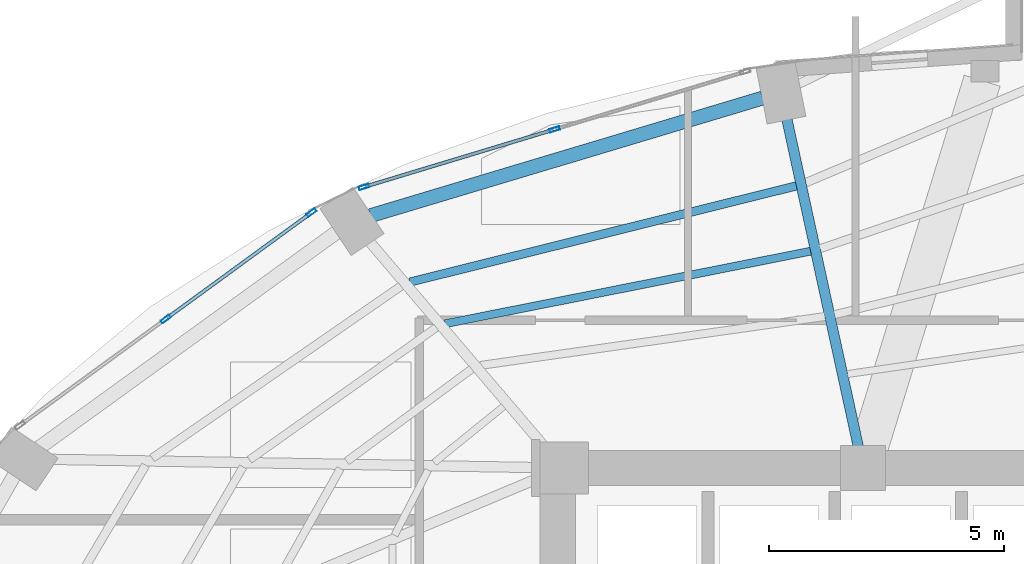
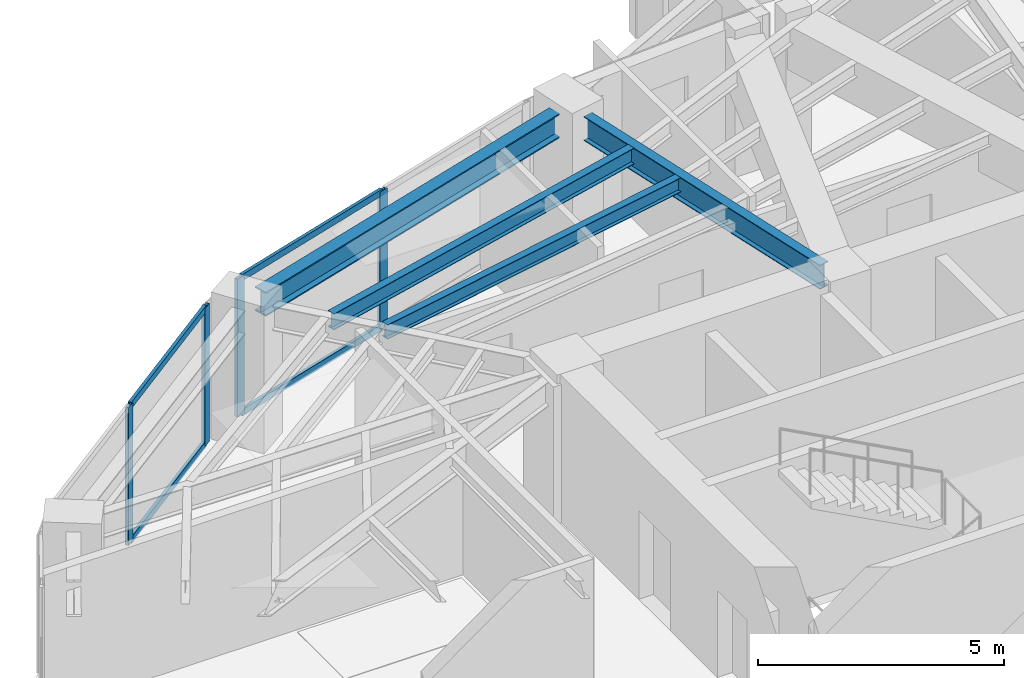
# One storey, part 14 of 23: 8 members, 4 beams, 2 elements without a shape of their own.
"""IFC4 building model written with IfcOpenShell, lengths in metres."""

from ifc_helpers import new_model, si_unit, direction, frame, origin, origin_2d, place, context, subcontext, project, spatial, hollow_rectangle, i_section, extrude, material, layer, layer_set, material_profile, profile_set, type_object, element, aggregate, save


model = new_model("IFC4")

# Units and contexts
model_context = context("Model", 3, precision=1e-05, world=origin(), true_north=direction((0.0, 1.0)))
body_context = subcontext(model_context, "Body", "Model", "MODEL_VIEW")
ifc_project = project(units=[si_unit("LENGTHUNIT", "METRE"), si_unit("AREAUNIT", "SQUARE_METRE"), si_unit("VOLUMEUNIT", "CUBIC_METRE"), si_unit("PLANEANGLEUNIT", "RADIAN"), si_unit("MASSUNIT", "GRAM", prefix="KILO")], contexts=[model_context])

# Site, building, storey
site_placement = place(None, origin())
site = spatial("IfcSite", under=ifc_project, at=site_placement, CompositionType="ELEMENT")
building_placement = place(site_placement, origin())
building = spatial("IfcBuilding", under=site, at=building_placement, Name="Lazwardi Medical Tower", CompositionType="ELEMENT")
storey_placement = place(building_placement, frame((0.0, 0.0, 85.39208984375)))
storey = spatial("IfcBuildingStorey", under=building, at=storey_placement, Name="L21", CompositionType="ELEMENT", Elevation=85.39208984375)

# Beams
ifc_material_1 = material(Name="Steel S355", Category="steel")
ifc_material_profile_1 = material_profile(ifc_material_1, i_section(OverallWidth=0.300048828125, OverallDepth=0.60009765625, WebThickness=0.015380859375, FlangeThickness=0.030029296875, at=origin_2d()), Name="HEB 600")
ifc_profile_set_1 = profile_set([ifc_material_profile_1], Name="Steel S355")
beam_type_1 = type_object("IfcBeamType", Name="BM-RB-Z2", PredefinedType="BEAM", material=ifc_profile_set_1)
beam_1_placement = place(storey_placement, frame((30.661865234375, 43.4794921875, 3.1279296875), z_axis=(-0.957879438442, -0.287170648587, 0.0), x_axis=(0.287170648587, -0.957879438442, 0.0)))
element("IfcBeam", 1, at=beam_1_placement, inside=storey, type_object=beam_type_1, Name="Ring beam RB-03 B09 L21", PredefinedType="BEAM", context=body_context, shape_type="SweptSolid", body=[
    extrude(i_section(OverallWidth=0.300048828125, OverallDepth=0.60009765625, WebThickness=0.015380859375, FlangeThickness=0.030029296875, at=origin_2d()), origin(), (0.0, 0.0, 1.0), 8.719970703125),
])
ifc_material_profile_2 = material_profile(ifc_material_1, i_section(OverallWidth=0.219970703125, OverallDepth=0.60009765625, WebThickness=0.011962890625, FlangeThickness=0.01904296875, at=origin_2d()), Name="IPE 600")
ifc_profile_set_2 = profile_set([ifc_material_profile_2], Name="Steel S355")
beam_type_2 = type_object("IfcBeamType", Name="BM-RG-W1", PredefinedType="BEAM", material=ifc_profile_set_2)
beam_2_placement = place(storey_placement, frame((31.17822265625, 43.03076171875, 3.1279296875), z_axis=(0.213228150441, -0.977002433907, 0.0), x_axis=(0.977002433907, 0.213228150441, 0.0)))
element("IfcBeam", 2, at=beam_2_placement, inside=storey, type_object=beam_type_2, Name="Radial girder RG-02 R09 L21", PredefinedType="BEAM", context=body_context, shape_type="SweptSolid", body=[
    extrude(i_section(OverallWidth=0.219970703125, OverallDepth=0.60009765625, WebThickness=0.011962890625, FlangeThickness=0.01904296875, at=origin_2d()), origin(), (0.0, 0.0, 1.0), 7.145751953125),
])
ifc_material_profile_3 = material_profile(ifc_material_1, i_section(OverallWidth=0.179931640625, OverallDepth=0.39990234375, WebThickness=0.008544921875, FlangeThickness=0.013427734375, at=origin_2d()), Name="IPE 400")
ifc_profile_set_3 = profile_set([ifc_material_profile_3], Name="Steel S355")
beam_type_3 = type_object("IfcBeamType", Name="BM-SJ-01", PredefinedType="JOIST", material=ifc_profile_set_3)
beam_3_placement = place(storey_placement, frame((31.381103515625, 41.609130859375, 3.22802734375), z_axis=(-0.970400881943, -0.241499748081, 0.0), x_axis=(0.241499748081, -0.970400881943, 0.0)))
element("IfcBeam", 3, at=beam_3_placement, inside=storey, type_object=beam_type_3, Name="Secondary joist SJ-01 R1 B09 L21", PredefinedType="JOIST", context=body_context, shape_type="SweptSolid", body=[
    extrude(i_section(OverallWidth=0.179931640625, OverallDepth=0.39990234375, WebThickness=0.008544921875, FlangeThickness=0.013427734375, at=origin_2d()), origin(), (0.0, 0.0, 1.0), 8.48583984375),
])
ifc_material_profile_4 = material_profile(ifc_material_1, i_section(OverallWidth=0.169921875, OverallDepth=0.360107421875, WebThickness=0.008056640625, FlangeThickness=0.0126953125, at=origin_2d()), Name="IPE 360")
ifc_profile_set_4 = profile_set([ifc_material_profile_4], Name="Steel S355")
beam_type_4 = type_object("IfcBeamType", Name="BM-SJ-02", PredefinedType="JOIST", material=ifc_profile_set_4)
beam_4_placement = place(storey_placement, frame((31.684814453125, 40.2177734375, 3.247802734375), z_axis=(-0.980878853282, -0.194619308352, 0.0), x_axis=(0.194619308352, -0.980878853282, 0.0)))
element("IfcBeam", 4, at=beam_4_placement, inside=storey, type_object=beam_type_4, Name="Secondary joist SJ-02 R2 B09 L21", PredefinedType="JOIST", context=body_context, shape_type="SweptSolid", body=[
    extrude(i_section(OverallWidth=0.169921875, OverallDepth=0.360107421875, WebThickness=0.008056640625, FlangeThickness=0.0126953125, at=origin_2d()), origin(), (0.0, 0.0, 1.0), 7.93701171875),
])

# Curtain wall, members
ifc_material_2 = material(Name="Anodised bronze aluminium and solar control glazing", Category="aluminium")
ifc_layer = layer(ifc_material_2, 0.195068359375)
ifc_layer_set = layer_set([ifc_layer], Name="Anodised bronze aluminium and solar control glazing")
curtain_wall_type = type_object("IfcCurtainWallType", Name="CW-SYS-03", PredefinedType="NOTDEFINED", material=ifc_layer_set)
curtain_wall_1_placement = place(storey_placement, origin())
curtain_wall_1 = element("IfcCurtainWall", 5, at=curtain_wall_1_placement, inside=storey, type_object=curtain_wall_type, Name="L21 Unitised bronze curtain wall CW-03", PredefinedType="NOTDEFINED")
ifc_material_3 = material(Name="Anodised bronze aluminium", Category="aluminium")
ifc_material_profile_5 = material_profile(ifc_material_3, hollow_rectangle(XDim=0.074951171875, YDim=0.219970703125, WallThickness=0.00390625, at=origin_2d()), Name="ALU-MULLION 220x75x4")
ifc_profile_set_5 = profile_set([ifc_material_profile_5], Name="Anodised bronze aluminium")
member_type_1 = type_object("IfcMemberType", Name="CW-MUL-01", PredefinedType="MULLION", material=ifc_profile_set_5)
member_1_placement = place(storey_placement, frame((26.230712890625, 42.81298828125, 0.0), z_axis=(0.0, 0.0, 1.0), x_axis=(0.28937381157, -0.957216170558, 0.0)))
member_1 = element("IfcMember", 6, at=member_1_placement, type_object=member_type_1, Name="CW-03 mullion 2", PredefinedType="MULLION", context=body_context, shape_type="SweptSolid", body=[
    extrude(hollow_rectangle(XDim=0.074951171875, YDim=0.219970703125, WallThickness=0.00390625, at=origin_2d()), origin(), (0.0, 0.0, 1.0), 3.427978515625),
])
member_2_placement = place(storey_placement, frame((22.171630859375, 41.5859375, 0.0), z_axis=(0.0, 0.0, 1.0), x_axis=(0.28937381157, -0.957216170558, 0.0)))
member_2 = element("IfcMember", 7, at=member_2_placement, type_object=member_type_1, Name="CW-03 mullion 3", PredefinedType="MULLION", context=body_context, shape_type="SweptSolid", body=[
    extrude(hollow_rectangle(XDim=0.074951171875, YDim=0.219970703125, WallThickness=0.00390625, at=origin_2d()), origin(), (0.0, 0.0, 1.0), 3.427978515625),
])

curtain_wall_2_placement = place(storey_placement, origin())
curtain_wall_2 = element("IfcCurtainWall", 8, at=curtain_wall_2_placement, inside=storey, type_object=curtain_wall_type, Name="L21 Unitised bronze curtain wall CW-03", PredefinedType="NOTDEFINED")
member_3_placement = place(storey_placement, frame((21.052734375, 41.03955078125, 0.0), z_axis=(0.0, 0.0, 1.0), x_axis=(0.589530882802, -0.807745837639, 0.0)))
member_3 = element("IfcMember", 9, at=member_3_placement, type_object=member_type_1, Name="CW-03 mullion 1", PredefinedType="MULLION", context=body_context, shape_type="SweptSolid", body=[
    extrude(hollow_rectangle(XDim=0.074951171875, YDim=0.219970703125, WallThickness=0.00390625, at=origin_2d()), origin(), (0.0, 0.0, 1.0), 3.427978515625),
])
member_4_placement = place(storey_placement, frame((17.948974609375, 38.774169921875, 0.0), z_axis=(0.0, 0.0, 1.0), x_axis=(0.589530882802, -0.807745837639, 0.0)))
member_4 = element("IfcMember", 10, at=member_4_placement, type_object=member_type_1, Name="CW-03 mullion 2", PredefinedType="MULLION", context=body_context, shape_type="SweptSolid", body=[
    extrude(hollow_rectangle(XDim=0.074951171875, YDim=0.219970703125, WallThickness=0.00390625, at=origin_2d()), origin(), (0.0, 0.0, 1.0), 3.427978515625),
])

# Member
ifc_material_profile_6 = material_profile(ifc_material_3, hollow_rectangle(XDim=0.074951171875, YDim=0.159912109375, WallThickness=0.00390625, at=origin_2d()), Name="ALU-TRANSOM 160x75x4")
ifc_profile_set_6 = profile_set([ifc_material_profile_6], Name="Anodised bronze aluminium")
member_type_2 = type_object("IfcMemberType", Name="CW-TRN-01", PredefinedType="USERDEFINED", material=ifc_profile_set_6)
member_5_placement = place(storey_placement, frame((26.19482421875, 42.80224609375, 0.037353515625), z_axis=(-0.957220865985, -0.289358279168, 0.0), x_axis=(0.289358279168, -0.957220865985, 0.0)))
member_5 = element("IfcMember", 11, at=member_5_placement, type_object=member_type_2, Name="CW-03 transom 2.1", ObjectType="TRANSOM", PredefinedType="USERDEFINED", context=body_context, shape_type="SweptSolid", body=[
    extrude(hollow_rectangle(XDim=0.074951171875, YDim=0.159912109375, WallThickness=0.00390625, at=origin_2d()), origin(), (0.0, 0.0, 1.0), 4.16552734375),
])

member_6_placement = place(storey_placement, frame((26.19482421875, 42.80224609375, 3.390380859375), z_axis=(-0.957220865985, -0.289358279168, 0.0), x_axis=(0.289358279168, -0.957220865985, 0.0)))
member_6 = element("IfcMember", 12, at=member_6_placement, type_object=member_type_2, Name="CW-03 transom 2.2", ObjectType="TRANSOM", PredefinedType="USERDEFINED", context=body_context, shape_type="SweptSolid", body=[
    extrude(hollow_rectangle(XDim=0.074951171875, YDim=0.159912109375, WallThickness=0.00390625, at=origin_2d()), origin(), (0.0, 0.0, 1.0), 4.16552734375),
])

aggregate(curtain_wall_1, [member_1, member_2, member_5, member_6])

member_7_placement = place(storey_placement, frame((21.0224609375, 41.017578125, 0.037353515625), z_axis=(-0.807731734271, -0.589550206049, 0.0), x_axis=(0.589550206049, -0.807731734271, 0.0)))
member_7 = element("IfcMember", 13, at=member_7_placement, type_object=member_type_2, Name="CW-03 transom 1.1", ObjectType="TRANSOM", PredefinedType="USERDEFINED", context=body_context, shape_type="SweptSolid", body=[
    extrude(hollow_rectangle(XDim=0.074951171875, YDim=0.159912109375, WallThickness=0.00390625, at=origin_2d()), origin(), (0.0, 0.0, 1.0), 3.767578125),
])

member_8_placement = place(storey_placement, frame((21.0224609375, 41.017578125, 3.390380859375), z_axis=(-0.807731734271, -0.589550206049, 0.0), x_axis=(0.589550206049, -0.807731734271, 0.0)))
member_8 = element("IfcMember", 14, at=member_8_placement, type_object=member_type_2, Name="CW-03 transom 1.2", ObjectType="TRANSOM", PredefinedType="USERDEFINED", context=body_context, shape_type="SweptSolid", body=[
    extrude(hollow_rectangle(XDim=0.074951171875, YDim=0.159912109375, WallThickness=0.00390625, at=origin_2d()), origin(), (0.0, 0.0, 1.0), 3.767578125),
])

aggregate(curtain_wall_2, [member_3, member_4, member_7, member_8])

save(model, "model.ifc")
